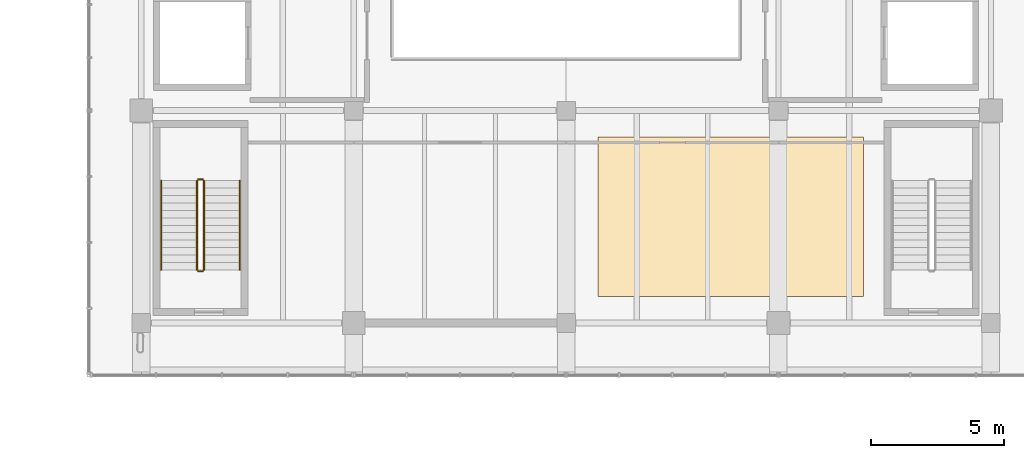
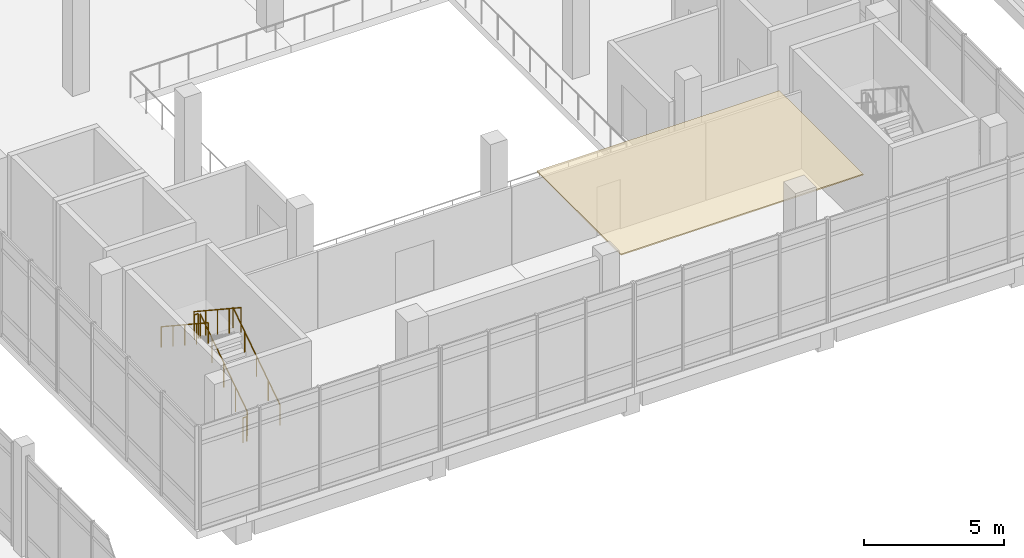
# One storey, part 42 of 47: 6 railings, 1 covering.
"""IFC4 building model written with IfcOpenShell, lengths in metres."""

from ifc_helpers import new_model, si_unit, direction, frame, origin, origin_2d, place, context, subcontext, project, spatial, polyline, circle, outline, extrude, material, layer, layer_set, type_object, element, save


model = new_model("IFC4")

# Units and contexts
model_context = context("Model", 3, precision=1e-05, world=origin(), true_north=direction((0.0, 1.0)))
body_context = subcontext(model_context, "Body", "Model", "MODEL_VIEW")
ifc_project = project(units=[si_unit("LENGTHUNIT", "METRE"), si_unit("AREAUNIT", "SQUARE_METRE"), si_unit("VOLUMEUNIT", "CUBIC_METRE"), si_unit("PLANEANGLEUNIT", "RADIAN"), si_unit("MASSUNIT", "GRAM", prefix="KILO")], contexts=[model_context])

# Site, building, storey
site_placement = place(None, origin())
site = spatial("IfcSite", under=ifc_project, at=site_placement, CompositionType="ELEMENT")
building_placement = place(site_placement, origin())
building = spatial("IfcBuilding", under=site, at=building_placement, Name="Pecanmere Concourse Central Library", CompositionType="ELEMENT")
storey_placement = place(building_placement, frame((0.0, 0.0, 15.300048828125)))
storey = spatial("IfcBuildingStorey", under=building, at=storey_placement, Name="L04", CompositionType="ELEMENT", Elevation=15.300048828125)

# Covering
ifc_material_1 = material(Name="Solid white oak architectural joinery")
ifc_layer = layer(ifc_material_1, 0.054931640625, Name="COV_CEIL_OAK_COFF")
ifc_layer_set = layer_set([ifc_layer], Name="Solid white oak architectural joinery")
covering_type = type_object("IfcCoveringType", Name="COV_CEIL_OAK_COFF", PredefinedType="CEILING", material=ifc_layer_set)
covering_placement = place(storey_placement, frame((0.0, 0.0, 3.469970703125)))
element("IfcCovering", 1, at=covering_placement, inside=storey, type_object=covering_type, Name="Acoustic Coffered Ceiling L04-020", PredefinedType="CEILING", context=body_context, shape_type="SweptSolid", body=[
    extrude(outline(polyline([(89.199951171875, 91.0), (99.199951171875, 91.0), (99.199951171875, 97.0), (89.199951171875, 97.0), (89.199951171875, 91.0)])), origin(), (0.0, 0.0, 1.0), 0.054931640625),
])

# Railings
ifc_material_2 = material(Name="Painted architectural steel ASTM A36", Category="steel")
railing_type_1 = type_object("IfcRailingType", Name="RAIL_STAIR_GUARD", PredefinedType="GUARDRAIL", material=ifc_material_2)
railing_1_placement = place(storey_placement, frame((74.360107421875, 92.0, 0.1845703125)))
element("IfcRailing", 2, at=railing_1_placement, inside=storey, type_object=railing_type_1, Name="L04 ST-01 Guard 1", PredefinedType="GUARDRAIL", context=body_context, shape_type="SweptSolid", body=[
    extrude(circle(Radius=0.02392578125, at=origin_2d()), frame((0.0, 0.0, 1.076171875), z_axis=(0.0, 0.834876476806, 0.550437342915), x_axis=(-1.0, 0.0, 0.0)), (0.0, 0.0, 1.0), 4.024658203125),
    extrude(circle(Radius=0.02099609375, at=origin_2d()), origin(), (0.0, 0.0, 1.0), 1.052001953125),
    extrude(circle(Radius=0.02099609375, at=origin_2d()), frame((0.0, 0.840087890625, 0.5537109375)), (0.0, 0.0, 1.0), 1.052001953125),
    extrude(circle(Radius=0.02099609375, at=origin_2d()), frame((0.0, 1.68017578125, 1.107666015625)), (0.0, 0.0, 1.0), 1.052001953125),
    extrude(circle(Radius=0.02099609375, at=origin_2d()), frame((0.0, 2.52001953125, 1.66162109375)), (0.0, 0.0, 1.0), 1.052001953125),
    extrude(circle(Radius=0.02099609375, at=origin_2d()), frame((0.0, 3.360107421875, 2.21533203125)), (0.0, 0.0, 1.0), 1.052001953125),
])
railing_2_placement = place(storey_placement, frame((74.31005859375, 95.409912109375, 2.39990234375)))
element("IfcRailing", 3, at=railing_2_placement, inside=storey, type_object=railing_type_1, Name="L04 ST-01 Guard 2", PredefinedType="GUARDRAIL", context=body_context, shape_type="SweptSolid", body=[
    extrude(circle(Radius=0.02392578125, at=origin_2d()), frame((0.0, 0.0, 1.076171875), z_axis=(-1.0, 0.0, 0.0), x_axis=(0.0, -1.0, 0.0)), (0.0, 0.0, 1.0), 0.16015625),
    extrude(circle(Radius=0.02099609375, at=origin_2d()), origin(), (0.0, 0.0, 1.0), 1.052001953125),
    extrude(circle(Radius=0.02099609375, at=origin_2d()), frame((-0.16015625, 0.0, 0.0)), (0.0, 0.0, 1.0), 1.052001953125),
])
railing_3_placement = place(storey_placement, frame((74.10009765625, 95.360107421875, 2.58447265625)))
element("IfcRailing", 4, at=railing_3_placement, inside=storey, type_object=railing_type_1, Name="L04 ST-01 Guard 3", PredefinedType="GUARDRAIL", context=body_context, shape_type="SweptSolid", body=[
    extrude(circle(Radius=0.02392578125, at=origin_2d()), frame((0.0, 0.0, 1.076171875), z_axis=(0.0, -0.834848600103, 0.550479622607), x_axis=(1.0, 0.0, 0.0)), (0.0, 0.0, 1.0), 4.02490234375),
    extrude(circle(Radius=0.02099609375, at=origin_2d()), origin(), (0.0, 0.0, 1.0), 1.052001953125),
    extrude(circle(Radius=0.02099609375, at=origin_2d()), frame((0.0, -0.840087890625, 0.553955078125)), (0.0, 0.0, 1.0), 1.052001953125),
    extrude(circle(Radius=0.02099609375, at=origin_2d()), frame((0.0, -1.68017578125, 1.10791015625)), (0.0, 0.0, 1.0), 1.052001953125),
    extrude(circle(Radius=0.02099609375, at=origin_2d()), frame((0.0, -2.52001953125, 1.66162109375)), (0.0, 0.0, 1.0), 1.052001953125),
    extrude(circle(Radius=0.02099609375, at=origin_2d()), frame((0.0, -3.360107421875, 2.215576171875)), (0.0, 0.0, 1.0), 1.052001953125),
])
railing_4_placement = place(storey_placement, frame((74.31005859375, 91.949951171875, 0.0)))
element("IfcRailing", 5, at=railing_4_placement, inside=storey, type_object=railing_type_1, Name="L04 ST-01 Guard 4", PredefinedType="GUARDRAIL", context=body_context, shape_type="SweptSolid", body=[
    extrude(circle(Radius=0.02392578125, at=origin_2d()), frame((0.0, 0.0, 1.076171875), z_axis=(-1.0, 0.0, 0.0), x_axis=(0.0, -1.0, 0.0)), (0.0, 0.0, 1.0), 0.16015625),
    extrude(circle(Radius=0.02099609375, at=origin_2d()), origin(), (0.0, 0.0, 1.0), 1.052001953125),
    extrude(circle(Radius=0.02099609375, at=origin_2d()), frame((-0.16015625, 0.0, 0.0)), (0.0, 0.0, 1.0), 1.052001953125),
])
ifc_material_3 = material(Name="Brushed stainless steel Grade 316", Category="steel")
railing_type_2 = type_object("IfcRailingType", Name="RAIL_STAIR_HR", PredefinedType="HANDRAIL", material=ifc_material_3)
railing_5_placement = place(storey_placement, frame((75.7099609375, 92.0, 0.1845703125)))
element("IfcRailing", 6, at=railing_5_placement, inside=storey, type_object=railing_type_2, Name="L04 ST-01 Handrail 1", PredefinedType="HANDRAIL", context=body_context, shape_type="SweptSolid", body=[
    extrude(circle(Radius=0.02392578125, at=origin_2d()), frame((0.0, 0.0, 0.89111328125), z_axis=(0.0, 0.834876476806, 0.550437342915), x_axis=(-1.0, 0.0, 0.0)), (0.0, 0.0, 1.0), 4.024658203125),
    extrude(circle(Radius=0.02099609375, at=origin_2d()), origin(), (0.0, 0.0, 1.0), 0.866943359375),
    extrude(circle(Radius=0.02099609375, at=origin_2d()), frame((0.0, 0.840087890625, 0.5537109375)), (0.0, 0.0, 1.0), 0.866943359375),
    extrude(circle(Radius=0.02099609375, at=origin_2d()), frame((0.0, 1.68017578125, 1.107666015625)), (0.0, 0.0, 1.0), 0.866943359375),
    extrude(circle(Radius=0.02099609375, at=origin_2d()), frame((0.0, 2.52001953125, 1.66162109375)), (0.0, 0.0, 1.0), 0.866943359375),
    extrude(circle(Radius=0.02099609375, at=origin_2d()), frame((0.0, 3.360107421875, 2.21533203125)), (0.0, 0.0, 1.0), 0.866943359375),
])
railing_6_placement = place(storey_placement, frame((72.75, 95.360107421875, 2.58447265625)))
element("IfcRailing", 7, at=railing_6_placement, inside=storey, type_object=railing_type_2, Name="L04 ST-01 Handrail 2", PredefinedType="HANDRAIL", context=body_context, shape_type="SweptSolid", body=[
    extrude(circle(Radius=0.02392578125, at=origin_2d()), frame((0.0, 0.0, 0.89111328125), z_axis=(0.0, -0.834848600103, 0.550479622607), x_axis=(1.0, 0.0, 0.0)), (0.0, 0.0, 1.0), 4.02490234375),
    extrude(circle(Radius=0.02099609375, at=origin_2d()), origin(), (0.0, 0.0, 1.0), 0.866943359375),
    extrude(circle(Radius=0.02099609375, at=origin_2d()), frame((0.0, -0.840087890625, 0.553955078125)), (0.0, 0.0, 1.0), 0.866943359375),
    extrude(circle(Radius=0.02099609375, at=origin_2d()), frame((0.0, -1.68017578125, 1.10791015625)), (0.0, 0.0, 1.0), 0.866943359375),
    extrude(circle(Radius=0.02099609375, at=origin_2d()), frame((0.0, -2.52001953125, 1.66162109375)), (0.0, 0.0, 1.0), 0.866943359375),
    extrude(circle(Radius=0.02099609375, at=origin_2d()), frame((0.0, -3.360107421875, 2.215576171875)), (0.0, 0.0, 1.0), 0.866943359375),
])

save(model, "model.ifc")
